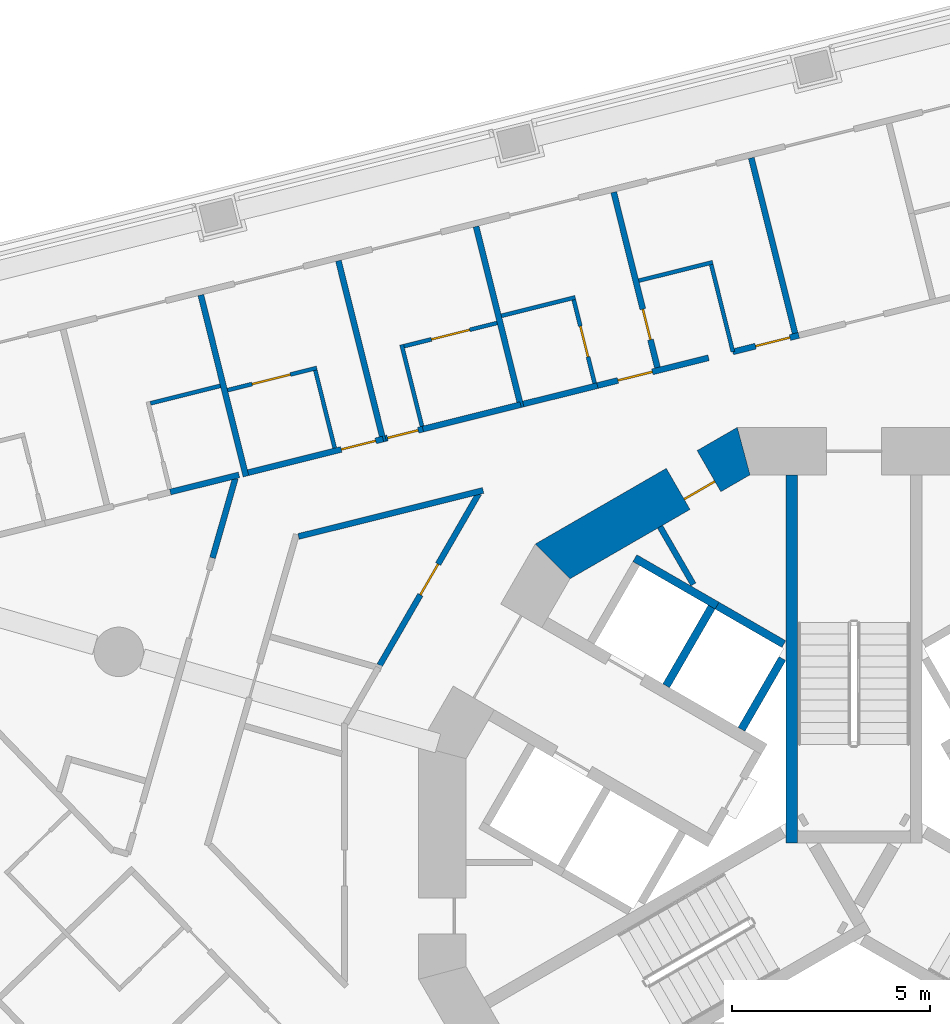
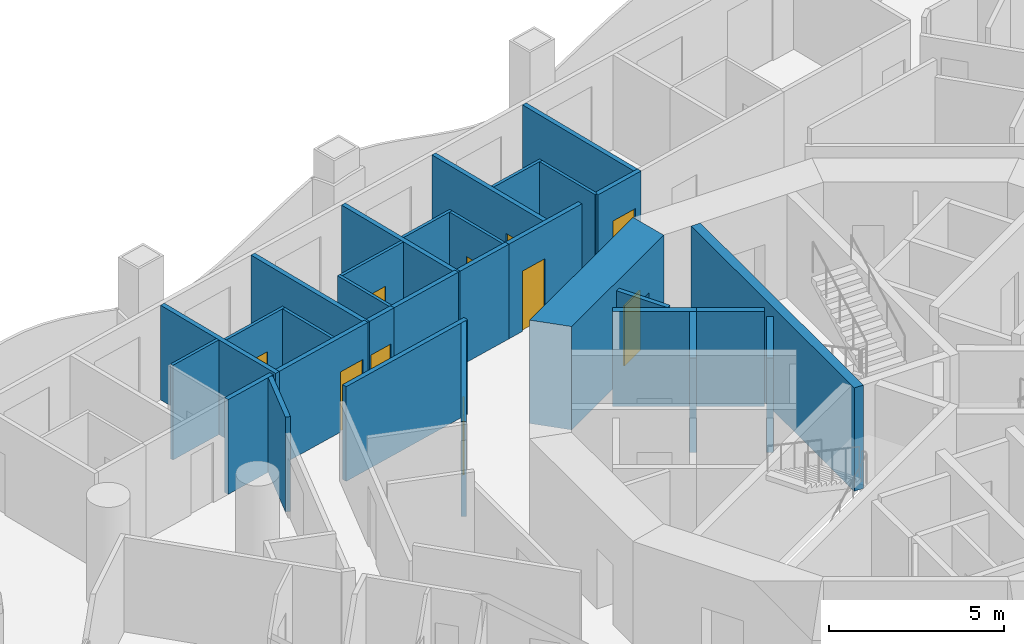
# One storey, part 8 of 20: 31 walls, 10 doors, 10 openings.
"""IFC4 building model written with IfcOpenShell, lengths in metres."""

import ifcopenshell
import ifcopenshell.guid

model = None  # the IFC model being written
_history = None  # IfcOwnerHistory: only IFC2X3 demands one
_inside = {}  # id of a spatial element -> (the spatial element, [elements in it])
_under = {}  # id of a project, library or spatial element -> (it, [spatial elements below it])
_declared = {}  # id of a project -> (the project, [libraries it declares])
_typed = {}  # id of a type object -> (the type object, [elements of that type])
_made_of = {}  # id of a material, layer set ... -> (it, [elements and type objects made of it])


def new_model(schema):
    """Start an empty IFC model of exactly this schema.

    Asked for "IFC4X3", IfcOpenShell would pick the latest addendum, in which some entities
    have other attributes; the version numbers below select the first issue.
    IFC2X3 requires an IfcOwnerHistory on every rooted entity: one is made here for all.
    """
    global model, _history
    if schema == "IFC4X3":
        model = ifcopenshell.file(schema_version=(4, 3, 0, 0))
    else:
        model = ifcopenshell.file(schema=schema)
    _inside.clear()
    _under.clear()
    _declared.clear()
    _typed.clear()
    _made_of.clear()
    _history = None
    if model.schema == "IFC2X3":
        org = make("IfcOrganization", Name="unknown")
        user = make(
            "IfcPersonAndOrganization",
            ThePerson=make("IfcPerson", FamilyName="unknown"),
            TheOrganization=org,
        )
        app = make(
            "IfcApplication",
            ApplicationDeveloper=org,
            Version="unknown",
            ApplicationFullName="unknown",
            ApplicationIdentifier="unknown",
        )
        _history = make(
            "IfcOwnerHistory",
            OwningUser=user,
            OwningApplication=app,
            ChangeAction="ADDED",
            CreationDate=0,
        )
    return model


def make(cls, **values):
    """One entity of the class cls with the attributes given. An attribute that is None is left unset."""
    return model.create_entity(
        cls, **{name: value for name, value in values.items() if value is not None}
    )


def rooted(cls, **values):
    """An entity with a GlobalId (a new one), such as an element, a storey or a relation."""
    return make(cls, GlobalId=ifcopenshell.guid.new(), OwnerHistory=_history, **values)


def si_unit(unit_type, name, prefix=None):
    """IfcSIUnit, for example si_unit("LENGTHUNIT", "METRE", prefix="MILLI")."""
    return make("IfcSIUnit", UnitType=unit_type, Prefix=prefix, Name=name)


def assignment(units):
    """IfcUnitAssignment: the units of a project."""
    return None if units is None else make("IfcUnitAssignment", Units=units)


def point(xyz):
    """IfcCartesianPoint."""
    return None if xyz is None else make("IfcCartesianPoint", Coordinates=xyz)


def direction(xyz):
    """IfcDirection."""
    return None if xyz is None else make("IfcDirection", DirectionRatios=xyz)


def frame(location, z_axis=None, x_axis=None):
    """IfcAxis2Placement3D, a coordinate frame: its origin and axes. An axis left out is left unset."""
    return make(
        "IfcAxis2Placement3D",
        Location=point(location),
        Axis=direction(z_axis),
        RefDirection=direction(x_axis),
    )


def frame_2d(location, x_axis=None):
    """IfcAxis2Placement2D, a coordinate frame in the plane: its origin and x axis."""
    return make(
        "IfcAxis2Placement2D", Location=point(location), RefDirection=direction(x_axis)
    )


def origin():
    """The frame at (0, 0, 0) with its axes left unset."""
    return frame((0.0, 0.0, 0.0))


def place(relative_to, where):
    """IfcLocalPlacement: puts the frame where relative to a parent placement (None: the world)."""
    return make(
        "IfcLocalPlacement", PlacementRelTo=relative_to, RelativePlacement=where
    )


def context(
    kind, dimensions, precision=None, world=None, true_north=None, identifier=None
):
    """IfcGeometricRepresentationContext, for example the 3D "Model" context."""
    return make(
        "IfcGeometricRepresentationContext",
        ContextIdentifier=identifier,
        ContextType=kind,
        CoordinateSpaceDimension=dimensions,
        Precision=precision,
        WorldCoordinateSystem=world,
        TrueNorth=true_north,
    )


def subcontext(parent, identifier, kind, view, scale=None):
    """IfcGeometricRepresentationSubContext, for example "Body" below "Model"."""
    return make(
        "IfcGeometricRepresentationSubContext",
        ContextIdentifier=identifier,
        ContextType=kind,
        ParentContext=parent,
        TargetScale=scale,
        TargetView=view,
    )


def project(units=None, contexts=None):
    """IfcProject with its units and contexts."""
    return rooted(
        "IfcProject",
        Name="project",
        RepresentationContexts=contexts,
        UnitsInContext=assignment(units),
    )


def spatial(cls, under=None, at=None, **own):
    """A site, building, storey or space (cls), placed at a placement, below another one or the project."""
    s = rooted(cls, ObjectPlacement=at, **own)
    if under is not None:
        _under.setdefault(under.id(), (under, []))[1].append(s)
    return s


def polyline(points):
    """IfcPolyline through the points."""
    return make("IfcPolyline", Points=[point(p) for p in points])


def profile(cls, at=None, kind="AREA", **sizes):
    """A parametric profile (cls). Its sizes go by their IFC names, for example OverallWidth=200.0."""
    return make(cls, ProfileType=kind, Position=at, **sizes)


def rectangle(**sizes):
    """IfcRectangleProfileDef."""
    return profile("IfcRectangleProfileDef", **sizes)


def outline(outer, holes=None, kind="AREA"):
    """IfcArbitraryClosedProfileDef: a profile drawn as a closed curve; with holes, ...WithVoids."""
    if holes is None:
        return make("IfcArbitraryClosedProfileDef", ProfileType=kind, OuterCurve=outer)
    return make(
        "IfcArbitraryProfileDefWithVoids",
        ProfileType=kind,
        OuterCurve=outer,
        InnerCurves=holes,
    )


def extrude(swept, where, along, depth):
    """IfcExtrudedAreaSolid: the profile swept, set in the frame where, extruded along a direction by depth."""
    return make(
        "IfcExtrudedAreaSolid",
        SweptArea=swept,
        Position=where,
        ExtrudedDirection=direction(along),
        Depth=depth,
    )


def shape(context_of_items, identifier, shape_type, items):
    """IfcShapeRepresentation: the items that make up one representation, for example the "Body"."""
    return make(
        "IfcShapeRepresentation",
        ContextOfItems=context_of_items,
        RepresentationIdentifier=identifier,
        RepresentationType=shape_type,
        Items=items,
    )


def material(Name=None, Category=None):
    """IfcMaterial."""
    return make("IfcMaterial", Name=Name, Category=Category)


def layer(
    of_material, thickness, ventilated=None, Name=None, Category=None, Priority=None
):
    """IfcMaterialLayer: one layer of a wall or slab, of a material (None: an air gap)."""
    return make(
        "IfcMaterialLayer",
        Material=of_material,
        LayerThickness=thickness,
        IsVentilated=ventilated,
        Name=Name,
        Category=Category,
        Priority=Priority,
    )


def layer_set(layers, Name=None):
    """IfcMaterialLayerSet."""
    return make("IfcMaterialLayerSet", MaterialLayers=layers, LayerSetName=Name)


def made_of(thing, what):
    """Note that an element or type object is made of a material, layer set ...; save() writes the relation."""
    if what is not None:
        _made_of.setdefault(what.id(), (what, []))[1].append(thing)
    return thing


def type_object(cls, material=None, **own):
    """A type object (cls), such as IfcWallType, which elements share."""
    return made_of(rooted(cls, **own), material)


def element(
    cls,
    number,
    at=None,
    inside=None,
    cuts=None,
    type_object=None,
    material=None,
    context=None,
    identifier="Body",
    shape_type=None,
    held_by="IfcProductDefinitionShape",
    body=None,
    shapes=None,
    **own,
):
    """One element of the class cls, such as IfcWall. Its Tag is "e" and its number.

    at: its placement. inside: the storey or other place that contains it. cuts: it is an
    opening in that element (IfcRelVoidsElement). A single representation is given by context,
    identifier, shape_type and body (its items); several are given by shapes. held_by: the class
    of the entity that holds the representations. save() writes the other relations.
    """
    e = rooted(cls, Tag="e%d" % number, ObjectPlacement=at, **own)
    if body is not None:
        shapes = [shape(context, identifier, shape_type, body)]
    if shapes is not None:
        e.Representation = make(held_by, Representations=shapes)
    if inside is not None:
        _inside.setdefault(inside.id(), (inside, []))[1].append(e)
    if cuts is not None:
        rooted(
            "IfcRelVoidsElement", RelatingBuildingElement=cuts, RelatedOpeningElement=e
        )
    if type_object is not None:
        _typed.setdefault(type_object.id(), (type_object, []))[1].append(e)
    return made_of(e, material)


def fill(opening, filler):
    """IfcRelFillsElement: the door or window that sits in an opening."""
    return rooted(
        "IfcRelFillsElement",
        RelatingOpeningElement=opening,
        RelatedBuildingElement=filler,
    )


def aggregate(whole, parts):
    """IfcRelAggregates: a whole, such as a stair, and the parts it consists of."""
    return rooted("IfcRelAggregates", RelatingObject=whole, RelatedObjects=parts)


def save(model, path):
    """Write the relations noted so far, then the file.

    IfcRelAggregates (storeys below a building ...), IfcRelContainedInSpatialStructure (elements
    in a storey), IfcRelDefinesByType, IfcRelAssociatesMaterial and IfcRelDeclares: one each for
    every whole, place, type object, material and project.
    """
    for whole, parts in _under.values():
        aggregate(whole, parts)
    for where, things in _inside.values():
        rooted(
            "IfcRelContainedInSpatialStructure",
            RelatedElements=things,
            RelatingStructure=where,
        )
    for kind, things in _typed.values():
        rooted("IfcRelDefinesByType", RelatedObjects=things, RelatingType=kind)
    for what, things in _made_of.values():
        rooted("IfcRelAssociatesMaterial", RelatedObjects=things, RelatingMaterial=what)
    for by, libraries in _declared.values():
        rooted("IfcRelDeclares", RelatingContext=by, RelatedDefinitions=libraries)
    model.write(path)


model = new_model("IFC4")

# Units and contexts
model_context = context("Model", 3, precision=1e-05, world=origin(), true_north=direction((0.0, 1.0)))
body_context = subcontext(model_context, "Body", "Model", "MODEL_VIEW")
ifc_project = project(units=[si_unit("LENGTHUNIT", "METRE"), si_unit("AREAUNIT", "SQUARE_METRE"), si_unit("VOLUMEUNIT", "CUBIC_METRE"), si_unit("PLANEANGLEUNIT", "RADIAN"), si_unit("MASSUNIT", "GRAM", prefix="KILO")], contexts=[model_context])

# Site, building, storey
site_placement = place(None, origin())
site = spatial("IfcSite", under=ifc_project, at=site_placement, CompositionType="ELEMENT")
building_placement = place(site_placement, origin())
building = spatial("IfcBuilding", under=site, at=building_placement, Name="Trine Commons Tower", CompositionType="ELEMENT")
storey_placement = place(building_placement, frame((0.0, 0.0, 108.89990234375)))
storey = spatial("IfcBuildingStorey", under=building, at=storey_placement, Name="L27", CompositionType="ELEMENT", Elevation=108.89990234375)

# Wall
ifc_material_1 = material(Name="Plasterboard partition on steel studs", Category="steel")
ifc_layer_1 = layer(ifc_material_1, 0.14990234375)
ifc_layer_set_1 = layer_set([ifc_layer_1], Name="Plasterboard partition on steel studs")
wall_type_1 = type_object("IfcWallType", Name="Core room partition 150 mm, EI 60", PredefinedType="PARTITIONING", material=ifc_layer_set_1)
wall_1_placement = place(storey_placement, frame((75.094970703125, 70.9970703125, 0.0), z_axis=(0.0, 0.0, 1.0), x_axis=(0.500115728942, -0.865958577338, 0.0)))
element("IfcWall", 1, at=wall_1_placement, inside=storey, type_object=wall_type_1, Name="Core room partition L27", PredefinedType="PARTITIONING", context=body_context, shape_type="SweptSolid", body=[
    extrude(rectangle(XDim=1.68359375, YDim=0.14990234375, at=frame_2d((0.841796875, 0.0))), origin(), (0.0, 0.0, 1.0), 3.300048828125),
])

# Wall, opening, door
ifc_material_2 = material(Name="Concrete C70/85", Category="concrete")
ifc_layer_2 = layer(ifc_material_2, 1.199951171875)
ifc_layer_set_2 = layer_set([ifc_layer_2], Name="Concrete C70/85")
wall_type_2 = type_object("IfcWallType", Name="RC shear wall 1200 mm, C70/85", PredefinedType="SHEAR", material=ifc_layer_set_2)
wall_2_placement = place(storey_placement, frame((77.349609375, 72.991943359375, 0.0), z_axis=(0.0, 0.0, 1.0), x_axis=(-0.866037463336, -0.499979111662, 0.0)))
wall_2 = element("IfcWall", 2, at=wall_2_placement, inside=storey, type_object=wall_type_2, Name="Core wall CWC-05 L27", PredefinedType="SHEAR", context=body_context, shape_type="SweptSolid", body=[
    extrude(outline(polyline([(0.0, -0.60009765625), (5.901123046875, -0.60009765625), (5.57958984375, 0.60009765625), (0.321533203125, 0.60009765625), (0.0, -0.60009765625)])), origin(), (0.0, 0.0, 1.0), 3.60009765625),
])
opening_1_placement = place(wall_2_placement, frame((1.1748046875, 0.0, 0.0)))
opening_1 = element("IfcOpeningElement", 3, at=opening_1_placement, cuts=wall_2, Name="Opening K06.13", PredefinedType="OPENING", context=body_context, shape_type="SweptSolid", body=[
    extrude(rectangle(XDim=0.89990234375, YDim=2.10009765625, at=frame_2d((0.449951171875, 1.050048828125))), frame((0.0, 0.60986328125, 0.0), z_axis=(0.0, -1.0, 0.0), x_axis=(1.0, 0.0, 0.0)), (0.0, 0.0, 1.0), 1.219970703125),
])
ifc_material_3 = material(Name="Steel door leaf, fire-rated", Category="steel")
door_type_1 = type_object("IfcDoorType", Name="Core room door, single leaf 900 x 2100, FD30S", OperationType="SINGLE_SWING_LEFT", PredefinedType="DOOR", material=ifc_material_3)
door_1_placement = place(opening_1_placement, origin())
door_1 = element("IfcDoor", 4, at=door_1_placement, inside=storey, type_object=door_type_1, Name="Door to Linen store L27", OperationType="SINGLE_SWING_LEFT", OverallHeight=2.10009765625, OverallWidth=0.89990234375, PredefinedType="DOOR", context=body_context, shape_type="SweptSolid", body=[
    extrude(rectangle(XDim=0.89990234375, YDim=2.10009765625, at=frame_2d((0.449951171875, 1.050048828125))), frame((0.0, 0.3251953125, 0.0), z_axis=(0.0, -1.0, 0.0), x_axis=(1.0, 0.0, 0.0)), (0.0, 0.0, 1.0), 0.050048828125),
])
fill(opening_1, door_1)

# Walls
ifc_layer_3 = layer(ifc_material_2, 0.300048828125)
ifc_layer_set_3 = layer_set([ifc_layer_3], Name="Concrete C70/85")
wall_type_3 = type_object("IfcWallType", Name="RC shear wall 300 mm, C70/85", PredefinedType="SHEAR", material=ifc_layer_set_3)
wall_3_placement = place(storey_placement, frame((78.425048828125, 63.0009765625, 0.0), z_axis=(0.0, 0.0, 1.0), x_axis=(0.0, 1.0, 0.0)))
element("IfcWall", 5, at=wall_3_placement, inside=storey, type_object=wall_type_3, Name="Core cross wall SWA-08 L27", PredefinedType="SHEAR", context=body_context, shape_type="SweptSolid", body=[
    extrude(rectangle(XDim=9.31103515625, YDim=0.300048828125, at=frame_2d((4.655517578125, 0.0))), origin(), (0.0, 0.0, 1.0), 3.60009765625),
])
ifc_material_4 = material(Name="Fire-rated gypsum shaft wall system")
ifc_layer_4 = layer(ifc_material_4, 0.199951171875)
ifc_layer_set_4 = layer_set([ifc_layer_4], Name="Fire-rated gypsum shaft wall system")
wall_type_4 = type_object("IfcWallType", Name="Shaft wall 200 mm, EI 120", PredefinedType="PARTITIONING", material=ifc_layer_set_4)
wall_4_placement = place(storey_placement, frame((75.2509765625, 66.97412109375, 0.0), z_axis=(0.0, 0.0, 1.0), x_axis=(0.500136062276, 0.86594683394, 0.0)))
element("IfcWall", 6, at=wall_4_placement, inside=storey, type_object=wall_type_4, Name="Shaft wall L27", PredefinedType="PARTITIONING", context=body_context, shape_type="SweptSolid", body=[
    extrude(rectangle(XDim=2.299072265625, YDim=0.199951171875, at=frame_2d((1.1494140625, 0.0))), origin(), (0.0, 0.0, 1.0), 3.300048828125),
])
wall_5_placement = place(storey_placement, frame((76.5380859375, 69.001953125, 0.0), z_axis=(0.0, 0.0, 1.0), x_axis=(-0.866202511239, 0.499693115345, 0.0)))
element("IfcWall", 7, at=wall_5_placement, inside=storey, type_object=wall_type_4, Name="Shaft wall L27", PredefinedType="PARTITIONING", context=body_context, shape_type="SweptSolid", body=[
    extrude(rectangle(XDim=2.4013671875, YDim=0.199951171875, at=frame_2d((1.20068359375, 0.0))), origin(), (0.0, 0.0, 1.0), 3.300048828125),
])
wall_6_placement = place(storey_placement, frame((77.156005859375, 65.8740234375, 0.0), z_axis=(0.0, 0.0, 1.0), x_axis=(0.499865770674, 0.866102887253, 0.0)))
element("IfcWall", 8, at=wall_6_placement, inside=storey, type_object=wall_type_4, Name="Shaft wall L27", PredefinedType="PARTITIONING", context=body_context, shape_type="SweptSolid", body=[
    extrude(rectangle(XDim=2.064453125, YDim=0.199951171875, at=frame_2d((1.0322265625, 0.0))), origin(), (0.0, 0.0, 1.0), 3.300048828125),
])
wall_7_placement = place(storey_placement, frame((78.22509765625, 68.028076171875, 0.0), z_axis=(0.0, 0.0, 1.0), x_axis=(-0.866052014814, 0.499953905513, 0.0)))
element("IfcWall", 9, at=wall_7_placement, inside=storey, type_object=wall_type_4, Name="Shaft wall L27", PredefinedType="PARTITIONING", context=body_context, shape_type="SweptSolid", body=[
    extrude(rectangle(XDim=1.947998046875, YDim=0.199951171875, at=frame_2d((0.97412109375, 0.0))), origin(), (0.0, 0.0, 1.0), 3.300048828125),
])
ifc_material_5 = material(Name="Gypsum plasterboard on steel stud", Category="steel")
ifc_layer_5 = layer(ifc_material_5, 0.14990234375)
ifc_layer_set_5 = layer_set([ifc_layer_5], Name="Gypsum plasterboard on steel stud")
wall_type_5 = type_object("IfcWallType", Name="Unit and corridor wall 150 mm, EI 60", PredefinedType="PARTITIONING", material=ifc_layer_set_5)
wall_8_placement = place(storey_placement, frame((62.705078125, 71.8759765625, 0.0), z_axis=(0.0, 0.0, 1.0), x_axis=(0.970318656337, 0.241829909573, 0.0)))
element("IfcWall", 10, at=wall_8_placement, inside=storey, type_object=wall_type_5, Name="Partition 021", PredefinedType="PARTITIONING", context=body_context, shape_type="SweptSolid", body=[
    extrude(rectangle(XDim=1.791015625, YDim=0.14990234375, at=frame_2d((0.8955078125, 0.0))), origin(), (0.0, 0.0, 1.0), 3.300048828125),
])
wall_9_placement = place(storey_placement, frame((63.476806640625, 76.858154296875, 0.0), z_axis=(0.0, 0.0, 1.0), x_axis=(0.242049130854, -0.970263994103, 0.0)))
element("IfcWall", 11, at=wall_9_placement, inside=storey, type_object=wall_type_5, Name="Partition 022", PredefinedType="PARTITIONING", context=body_context, shape_type="SweptSolid", body=[
    extrude(rectangle(XDim=4.723388671875, YDim=0.14990234375, at=frame_2d((2.36181640625, 0.0))), origin(), (0.0, 0.0, 1.0), 3.300048828125),
])
wall_10_placement = place(storey_placement, frame((63.77392578125, 70.2099609375, 0.0), z_axis=(0.0, 0.0, 1.0), x_axis=(0.275353680299, 0.961342993289, 0.0)))
element("IfcWall", 12, at=wall_10_placement, inside=storey, type_object=wall_type_5, Name="Partition 025", PredefinedType="PARTITIONING", context=body_context, shape_type="SweptSolid", body=[
    extrude(rectangle(XDim=2.08984375, YDim=0.14990234375, at=frame_2d((1.044921875, 0.0))), origin(), (0.0, 0.0, 1.0), 3.300048828125),
])

# Wall, opening, door
wall_11_placement = place(storey_placement, frame((64.6708984375, 72.3662109375, 0.0), z_axis=(0.0, 0.0, 1.0), x_axis=(0.97035426046, 0.241687006697, 0.0)))
wall_11 = element("IfcWall", 13, at=wall_11_placement, inside=storey, type_object=wall_type_5, Name="Partition 028", PredefinedType="PARTITIONING", context=body_context, shape_type="SweptSolid", body=[
    extrude(rectangle(XDim=3.520263671875, YDim=0.14990234375, at=frame_2d((1.76025390625, 0.0))), origin(), (0.0, 0.0, 1.0), 3.300048828125),
])
opening_2_placement = place(wall_11_placement, frame((2.429931640625, 0.0, 0.0)))
opening_2 = element("IfcOpeningElement", 14, at=opening_2_placement, cuts=wall_11, Name="Opening D-3C09", PredefinedType="OPENING", context=body_context, shape_type="SweptSolid", body=[
    extrude(rectangle(XDim=0.89990234375, YDim=2.10009765625, at=frame_2d((0.449951171875, 1.050048828125))), frame((0.0, 0.0849609375, 0.0), z_axis=(0.0, -1.0, 0.0), x_axis=(1.0, 0.0, 0.0)), (0.0, 0.0, 1.0), 0.169921875),
])
ifc_material_6 = material(Name="Timber fire door set", Category="wood")
door_type_2 = type_object("IfcDoorType", Name="Bedroom door 900 x 2100, FD30S", OperationType="NOTDEFINED", PredefinedType="DOOR", material=ifc_material_6)
door_2_placement = place(opening_2_placement, origin())
door_2 = element("IfcDoor", 15, at=door_2_placement, inside=storey, type_object=door_type_2, Name="Door D-3C09", OperationType="SINGLE_SWING_RIGHT", OverallHeight=2.10009765625, OverallWidth=0.89990234375, PredefinedType="DOOR", context=body_context, shape_type="SweptSolid", body=[
    extrude(rectangle(XDim=0.89990234375, YDim=2.10009765625, at=frame_2d((0.449951171875, 1.050048828125))), frame((0.0, 0.02490234375, 0.0), z_axis=(0.0, -1.0, 0.0), x_axis=(1.0, 0.0, 0.0)), (0.0, 0.0, 1.0), 0.050048828125),
])
fill(opening_2, door_2)

# Walls
wall_12_placement = place(storey_placement, frame((65.94677734375, 70.751220703125, 0.0), z_axis=(0.0, 0.0, 1.0), x_axis=(0.970300367674, 0.241903279206, 0.0)))
element("IfcWall", 16, at=wall_12_placement, inside=storey, type_object=wall_type_5, Name="Partition 031", PredefinedType="PARTITIONING", context=body_context, shape_type="SweptSolid", body=[
    extrude(rectangle(XDim=4.815185546875, YDim=0.14990234375, at=frame_2d((2.40771484375, 0.0))), origin(), (0.0, 0.0, 1.0), 3.300048828125),
])
wall_13_placement = place(storey_placement, frame((66.958740234375, 77.726318359375, 0.0), z_axis=(0.0, 0.0, 1.0), x_axis=(0.24185448203, -0.970312531879, 0.0)))
element("IfcWall", 17, at=wall_13_placement, inside=storey, type_object=wall_type_5, Name="Partition 036", PredefinedType="PARTITIONING", context=body_context, shape_type="SweptSolid", body=[
    extrude(rectangle(XDim=4.72314453125, YDim=0.14990234375, at=frame_2d((2.361572265625, 0.0))), origin(), (0.0, 0.0, 1.0), 3.300048828125),
])

# Wall, opening, door
wall_14_placement = place(storey_placement, frame((68.00244140625, 67.493896484375, 0.0), z_axis=(0.0, 0.0, 1.0), x_axis=(0.499945814907, 0.866056685303, 0.0)))
wall_14 = element("IfcWall", 18, at=wall_14_placement, inside=storey, type_object=wall_type_5, Name="Partition 040", PredefinedType="PARTITIONING", context=body_context, shape_type="SweptSolid", body=[
    extrude(rectangle(XDim=5.0146484375, YDim=0.14990234375, at=frame_2d((2.50732421875, 0.0))), origin(), (0.0, 0.0, 1.0), 3.300048828125),
])
opening_3_placement = place(wall_14_placement, frame((2.057373046875, 0.0, 0.0)))
opening_3 = element("IfcOpeningElement", 19, at=opening_3_placement, cuts=wall_14, Name="Opening D-3C39", PredefinedType="OPENING", context=body_context, shape_type="SweptSolid", body=[
    extrude(rectangle(XDim=0.89990234375, YDim=2.10009765625, at=frame_2d((0.449951171875, 1.050048828125))), frame((0.0, 0.0849609375, 0.0), z_axis=(0.0, -1.0, 0.0), x_axis=(1.0, 0.0, 0.0)), (0.0, 0.0, 1.0), 0.169921875),
])
door_type_3 = type_object("IfcDoorType", Name="Service door 900 x 2100, FD30S", OperationType="NOTDEFINED", PredefinedType="DOOR", material=ifc_material_6)
door_3_placement = place(opening_3_placement, origin())
door_3 = element("IfcDoor", 20, at=door_3_placement, inside=storey, type_object=door_type_3, Name="Door D-3C39", OperationType="SINGLE_SWING_LEFT", OverallHeight=2.10009765625, OverallWidth=0.89990234375, PredefinedType="DOOR", context=body_context, shape_type="SweptSolid", body=[
    extrude(rectangle(XDim=0.89990234375, YDim=2.10009765625, at=frame_2d((0.449951171875, 1.050048828125))), frame((0.0, 0.02490234375, 0.0), z_axis=(0.0, -1.0, 0.0), x_axis=(1.0, 0.0, 0.0)), (0.0, 0.0, 1.0), 0.050048828125),
])
fill(opening_3, door_3)

wall_15_placement = place(storey_placement, frame((68.15185546875, 73.233154296875, 0.0), z_axis=(0.0, 0.0, 1.0), x_axis=(0.970127725802, 0.242594714762, 0.0)))
wall_15 = element("IfcWall", 21, at=wall_15_placement, inside=storey, type_object=wall_type_5, Name="Partition 041", PredefinedType="PARTITIONING", context=body_context, shape_type="SweptSolid", body=[
    extrude(rectangle(XDim=0.97216796875, YDim=0.14990234375, at=frame_2d((0.486083984375, 0.0))), origin(), (0.0, 0.0, 1.0), 3.300048828125),
])
opening_4_placement = place(wall_15_placement, frame((0.050048828125, 0.0, 0.0)))
opening_4 = element("IfcOpeningElement", 22, at=opening_4_placement, cuts=wall_15, Name="Opening D-3C10", PredefinedType="OPENING", context=body_context, shape_type="SweptSolid", body=[
    extrude(rectangle(XDim=0.800048828125, YDim=2.10009765625, at=frame_2d((0.39990234375, 1.050048828125))), frame((0.0, 0.0849609375, 0.0), z_axis=(0.0, -1.0, 0.0), x_axis=(1.0, 0.0, 0.0)), (0.0, 0.0, 1.0), 0.169921875),
])
door_type_4 = type_object("IfcDoorType", Name="Bedroom door 800 x 2100, FD30S", OperationType="NOTDEFINED", PredefinedType="DOOR", material=ifc_material_6)
door_4_placement = place(opening_4_placement, origin())
door_4 = element("IfcDoor", 23, at=door_4_placement, inside=storey, type_object=door_type_4, Name="Door D-3C10", OperationType="SINGLE_SWING_LEFT", OverallHeight=2.10009765625, OverallWidth=0.800048828125, PredefinedType="DOOR", context=body_context, shape_type="SweptSolid", body=[
    extrude(rectangle(XDim=0.800048828125, YDim=2.10009765625, at=frame_2d((0.39990234375, 1.050048828125))), frame((0.0, 0.02490234375, 0.0), z_axis=(0.0, -1.0, 0.0), x_axis=(1.0, 0.0, 0.0)), (0.0, 0.0, 1.0), 0.050048828125),
])
fill(opening_4, door_4)

# Walls
wall_16_placement = place(storey_placement, frame((69.0869140625, 73.467041015625, 0.0), z_axis=(0.0, 0.0, 1.0), x_axis=(0.970293884901, 0.241929280832, 0.0)))
element("IfcWall", 24, at=wall_16_placement, inside=storey, type_object=wall_type_5, Name="Partition 045", PredefinedType="PARTITIONING", context=body_context, shape_type="SweptSolid", body=[
    extrude(rectangle(XDim=2.55810546875, YDim=0.14990234375, at=frame_2d((1.279052734375, 0.0))), origin(), (0.0, 0.0, 1.0), 3.300048828125),
])
wall_17_placement = place(storey_placement, frame((70.440673828125, 78.59423828125, 0.0), z_axis=(0.0, 0.0, 1.0), x_axis=(0.241903012142, -0.970300434256, 0.0)))
element("IfcWall", 25, at=wall_17_placement, inside=storey, type_object=wall_type_5, Name="Partition 047", PredefinedType="PARTITIONING", context=body_context, shape_type="SweptSolid", body=[
    extrude(rectangle(XDim=4.72216796875, YDim=0.14990234375, at=frame_2d((2.361083984375, 0.0))), origin(), (0.0, 0.0, 1.0), 3.300048828125),
])
wall_18_placement = place(storey_placement, frame((71.6337890625, 74.10205078125, 0.0), z_axis=(0.0, 0.0, 1.0), x_axis=(0.970372376743, 0.241614259626, 0.0)))
element("IfcWall", 26, at=wall_18_placement, inside=storey, type_object=wall_type_5, Name="Partition 051", PredefinedType="PARTITIONING", context=body_context, shape_type="SweptSolid", body=[
    extrude(rectangle(XDim=1.93310546875, YDim=0.14990234375, at=frame_2d((0.966552734375, 0.0))), origin(), (0.0, 0.0, 1.0), 3.300048828125),
])

# Wall, opening, door
wall_19_placement = place(storey_placement, frame((73.452880859375, 74.555908203125, 0.0), z_axis=(0.0, 0.0, 1.0), x_axis=(0.97031709396, 0.24183617837, 0.0)))
wall_19 = element("IfcWall", 27, at=wall_19_placement, inside=storey, type_object=wall_type_5, Name="Partition 053", PredefinedType="PARTITIONING", context=body_context, shape_type="SweptSolid", body=[
    extrude(rectangle(XDim=2.95703125, YDim=0.14990234375, at=frame_2d((1.478515625, 0.0))), origin(), (0.0, 0.0, 1.0), 3.300048828125),
])
opening_5_placement = place(wall_19_placement, frame((0.591796875, 0.0, 0.0)))
opening_5 = element("IfcOpeningElement", 28, at=opening_5_placement, cuts=wall_19, Name="Opening D-3C11", PredefinedType="OPENING", context=body_context, shape_type="SweptSolid", body=[
    extrude(rectangle(XDim=0.89990234375, YDim=2.10009765625, at=frame_2d((0.449951171875, 1.050048828125))), frame((0.0, 0.0849609375, 0.0), z_axis=(0.0, -1.0, 0.0), x_axis=(1.0, 0.0, 0.0)), (0.0, 0.0, 1.0), 0.169921875),
])
door_5_placement = place(opening_5_placement, origin())
door_5 = element("IfcDoor", 29, at=door_5_placement, inside=storey, type_object=door_type_2, Name="Door D-3C11", OperationType="SINGLE_SWING_LEFT", OverallHeight=2.10009765625, OverallWidth=0.89990234375, PredefinedType="DOOR", context=body_context, shape_type="SweptSolid", body=[
    extrude(rectangle(XDim=0.89990234375, YDim=2.10009765625, at=frame_2d((0.449951171875, 1.050048828125))), frame((0.0, 0.02490234375, 0.0), z_axis=(0.0, -1.0, 0.0), x_axis=(1.0, 0.0, 0.0)), (0.0, 0.0, 1.0), 0.050048828125),
])
fill(opening_5, door_5)

wall_20_placement = place(storey_placement, frame((73.921630859375, 79.462158203125, 0.0), z_axis=(0.0, 0.0, 1.0), x_axis=(0.241945064156, -0.970289949412, 0.0)))
wall_20 = element("IfcWall", 30, at=wall_20_placement, inside=storey, type_object=wall_type_5, Name="Partition 054", PredefinedType="PARTITIONING", context=body_context, shape_type="SweptSolid", body=[
    extrude(rectangle(XDim=4.572021484375, YDim=0.14990234375, at=frame_2d((2.2861328125, 0.0))), origin(), (0.0, 0.0, 1.0), 3.300048828125),
])
opening_6_placement = place(wall_20_placement, frame((3.04931640625, 0.0, 0.0)))
opening_6 = element("IfcOpeningElement", 31, at=opening_6_placement, cuts=wall_20, Name="Opening D-3C48", PredefinedType="OPENING", context=body_context, shape_type="SweptSolid", body=[
    extrude(rectangle(XDim=0.800048828125, YDim=2.10009765625, at=frame_2d((0.39990234375, 1.050048828125))), frame((0.0, 0.0849609375, 0.0), z_axis=(0.0, -1.0, 0.0), x_axis=(1.0, 0.0, 0.0)), (0.0, 0.0, 1.0), 0.169921875),
])
ifc_material_7 = material(Name="Painted timber", Category="wood")
door_type_5 = type_object("IfcDoorType", Name="Internal door 800 x 2100, NOT RATED", OperationType="NOTDEFINED", PredefinedType="DOOR", material=ifc_material_7)
door_6_placement = place(opening_6_placement, frame((0.800048828125, 0.0, 0.0), z_axis=(0.0, 0.0, 1.0), x_axis=(-1.0, 0.0, 0.0)))
door_6 = element("IfcDoor", 32, at=door_6_placement, inside=storey, type_object=door_type_5, Name="Door D-3C48", OperationType="SINGLE_SWING_LEFT", OverallHeight=2.10009765625, OverallWidth=0.800048828125, PredefinedType="DOOR", context=body_context, shape_type="SweptSolid", body=[
    extrude(rectangle(XDim=0.800048828125, YDim=2.10009765625, at=frame_2d((0.39990234375, 1.050048828125))), frame((0.0, 0.02490234375, 0.0), z_axis=(0.0, -1.0, 0.0), x_axis=(1.0, 0.0, 0.0)), (0.0, 0.0, 1.0), 0.050048828125),
])
fill(opening_6, door_6)

wall_21_placement = place(storey_placement, frame((76.93408203125, 75.423095703125, 0.0), z_axis=(0.0, 0.0, 1.0), x_axis=(0.970234173919, 0.242168634963, 0.0)))
wall_21 = element("IfcWall", 33, at=wall_21_placement, inside=storey, type_object=wall_type_5, Name="Partition 062", PredefinedType="PARTITIONING", context=body_context, shape_type="SweptSolid", body=[
    extrude(rectangle(XDim=1.721923828125, YDim=0.14990234375, at=frame_2d((0.86083984375, 0.0))), origin(), (0.0, 0.0, 1.0), 3.300048828125),
])
opening_7_placement = place(wall_21_placement, frame((0.593017578125, 0.0, 0.0)))
opening_7 = element("IfcOpeningElement", 34, at=opening_7_placement, cuts=wall_21, Name="Opening D-3C12", PredefinedType="OPENING", context=body_context, shape_type="SweptSolid", body=[
    extrude(rectangle(XDim=0.89990234375, YDim=2.10009765625, at=frame_2d((0.449951171875, 1.050048828125))), frame((0.0, 0.0849609375, 0.0), z_axis=(0.0, -1.0, 0.0), x_axis=(1.0, 0.0, 0.0)), (0.0, 0.0, 1.0), 0.169921875),
])
door_7_placement = place(opening_7_placement, origin())
door_7 = element("IfcDoor", 35, at=door_7_placement, inside=storey, type_object=door_type_2, Name="Door D-3C12", OperationType="SINGLE_SWING_RIGHT", OverallHeight=2.10009765625, OverallWidth=0.89990234375, PredefinedType="DOOR", context=body_context, shape_type="SweptSolid", body=[
    extrude(rectangle(XDim=0.89990234375, YDim=2.10009765625, at=frame_2d((0.449951171875, 1.050048828125))), frame((0.0, 0.02490234375, 0.0), z_axis=(0.0, -1.0, 0.0), x_axis=(1.0, 0.0, 0.0)), (0.0, 0.0, 1.0), 0.050048828125),
])
fill(opening_7, door_7)

# Walls
wall_22_placement = place(storey_placement, frame((77.40380859375, 80.330078125, 0.0), z_axis=(0.0, 0.0, 1.0), x_axis=(0.241945064156, -0.970289949412, 0.0)))
element("IfcWall", 36, at=wall_22_placement, inside=storey, type_object=wall_type_5, Name="Partition 063", PredefinedType="PARTITIONING", context=body_context, shape_type="SweptSolid", body=[
    extrude(rectangle(XDim=4.572021484375, YDim=0.14990234375, at=frame_2d((2.2861328125, 0.0))), origin(), (0.0, 0.0, 1.0), 3.300048828125),
])
ifc_layer_6 = layer(ifc_material_5, 0.10009765625)
ifc_layer_set_6 = layer_set([ifc_layer_6], Name="Gypsum plasterboard on steel stud")
wall_type_6 = type_object("IfcWallType", Name="Unit partition 100 mm, no rating", PredefinedType="PARTITIONING", material=ifc_layer_set_6)
wall_23_placement = place(storey_placement, frame((62.201416015625, 74.1201171875, 0.0), z_axis=(0.0, 0.0, 1.0), x_axis=(0.970276128406, 0.242000484804, 0.0)))
element("IfcWall", 37, at=wall_23_placement, inside=storey, type_object=wall_type_6, Name="Partition 020", PredefinedType="PARTITIONING", context=body_context, shape_type="SweptSolid", body=[
    extrude(rectangle(XDim=1.824951171875, YDim=0.10009765625, at=frame_2d((0.91259765625, 0.0))), origin(), (0.0, 0.0, 1.0), 3.300048828125),
])

# Wall, opening, door
wall_24_placement = place(storey_placement, frame((64.15380859375, 74.453125, 0.0), z_axis=(0.0, 0.0, 1.0), x_axis=(0.970358256462, 0.241670962499, 0.0)))
wall_24 = element("IfcWall", 38, at=wall_24_placement, inside=storey, type_object=wall_type_6, Name="Partition 026", PredefinedType="PARTITIONING", context=body_context, shape_type="SweptSolid", body=[
    extrude(rectangle(XDim=2.325439453125, YDim=0.10009765625, at=frame_2d((1.16259765625, 0.0))), origin(), (0.0, 0.0, 1.0), 3.300048828125),
])
opening_8_placement = place(wall_24_placement, frame((0.6376953125, 0.0, 0.0)))
opening_8 = element("IfcOpeningElement", 39, at=opening_8_placement, cuts=wall_24, Name="Opening D-3C45", PredefinedType="OPENING", context=body_context, shape_type="SweptSolid", body=[
    extrude(rectangle(XDim=1.0, YDim=2.10009765625, at=frame_2d((0.5, 1.050048828125))), frame((0.0, 0.06005859375, 0.0), z_axis=(0.0, -1.0, 0.0), x_axis=(1.0, 0.0, 0.0)), (0.0, 0.0, 1.0), 0.1201171875),
])
door_type_6 = type_object("IfcDoorType", Name="Internal door 1000 x 2100, NOT RATED", OperationType="NOTDEFINED", PredefinedType="DOOR", material=ifc_material_7)
door_8_placement = place(opening_8_placement, origin())
door_8 = element("IfcDoor", 40, at=door_8_placement, inside=storey, type_object=door_type_6, Name="Door D-3C45", OperationType="SINGLE_SWING_LEFT", OverallHeight=2.10009765625, OverallWidth=1.0, PredefinedType="DOOR", context=body_context, shape_type="SweptSolid", body=[
    extrude(rectangle(XDim=1.0, YDim=2.10009765625, at=frame_2d((0.5, 1.050048828125))), frame((0.0, 0.02490234375, 0.0), z_axis=(0.0, -1.0, 0.0), x_axis=(1.0, 0.0, 0.0)), (0.0, 0.0, 1.0), 0.050048828125),
])
fill(opening_8, door_8)

# Walls
wall_25_placement = place(storey_placement, frame((66.3740234375, 74.95458984375, 0.0), z_axis=(0.0, 0.0, 1.0), x_axis=(0.241968232274, -0.97028417207, 0.0)))
element("IfcWall", 41, at=wall_25_placement, inside=storey, type_object=wall_type_6, Name="Partition 034", PredefinedType="PARTITIONING", context=body_context, shape_type="SweptSolid", body=[
    extrude(rectangle(XDim=2.02490234375, YDim=0.10009765625, at=frame_2d((1.012451171875, 0.0))), origin(), (0.0, 0.0, 1.0), 3.300048828125),
])
wall_26_placement = place(storey_placement, frame((68.557861328125, 75.6025390625, 0.0), z_axis=(0.0, 0.0, 1.0), x_axis=(0.242292331662, -0.970203291078, 0.0)))
element("IfcWall", 42, at=wall_26_placement, inside=storey, type_object=wall_type_6, Name="Partition 043", PredefinedType="PARTITIONING", context=body_context, shape_type="SweptSolid", body=[
    extrude(rectangle(XDim=2.125, YDim=0.10009765625, at=frame_2d((1.0625, 0.0))), origin(), (0.0, 0.0, 1.0), 3.300048828125),
])

# Wall, opening, door
wall_27_placement = place(storey_placement, frame((68.618408203125, 75.566162109375, 0.0), z_axis=(0.0, 0.0, 1.0), x_axis=(0.970313944808, 0.241848813336, 0.0)))
wall_27 = element("IfcWall", 43, at=wall_27_placement, inside=storey, type_object=wall_type_6, Name="Partition 044", PredefinedType="PARTITIONING", context=body_context, shape_type="SweptSolid", body=[
    extrude(rectangle(XDim=2.42578125, YDim=0.10009765625, at=frame_2d((1.212890625, 0.0))), origin(), (0.0, 0.0, 1.0), 3.300048828125),
])
opening_9_placement = place(wall_27_placement, frame((0.712890625, 0.0, 0.0)))
opening_9 = element("IfcOpeningElement", 44, at=opening_9_placement, cuts=wall_27, Name="Opening D-3C46", PredefinedType="OPENING", context=body_context, shape_type="SweptSolid", body=[
    extrude(rectangle(XDim=1.0, YDim=2.10009765625, at=frame_2d((0.5, 1.050048828125))), frame((0.0, 0.06005859375, 0.0), z_axis=(0.0, -1.0, 0.0), x_axis=(1.0, 0.0, 0.0)), (0.0, 0.0, 1.0), 0.1201171875),
])
door_9_placement = place(opening_9_placement, origin())
door_9 = element("IfcDoor", 45, at=door_9_placement, inside=storey, type_object=door_type_6, Name="Door D-3C46", OperationType="SINGLE_SWING_RIGHT", OverallHeight=2.10009765625, OverallWidth=1.0, PredefinedType="DOOR", context=body_context, shape_type="SweptSolid", body=[
    extrude(rectangle(XDim=1.0, YDim=2.10009765625, at=frame_2d((0.5, 1.050048828125))), frame((0.0, 0.02490234375, 0.0), z_axis=(0.0, -1.0, 0.0), x_axis=(1.0, 0.0, 0.0)), (0.0, 0.0, 1.0), 0.050048828125),
])
fill(opening_9, door_9)

# Wall
wall_28_placement = place(storey_placement, frame((71.080810546875, 76.334228515625, 0.0), z_axis=(0.0, 0.0, 1.0), x_axis=(0.970276645771, 0.241998410475, 0.0)))
element("IfcWall", 46, at=wall_28_placement, inside=storey, type_object=wall_type_6, Name="Partition 049", PredefinedType="PARTITIONING", context=body_context, shape_type="SweptSolid", body=[
    extrude(rectangle(XDim=1.9248046875, YDim=0.10009765625, at=frame_2d((0.96240234375, 0.0))), origin(), (0.0, 0.0, 1.0), 3.300048828125),
])

# Wall, opening, door
wall_29_placement = place(storey_placement, frame((72.912109375, 76.739501953125, 0.0), z_axis=(0.0, 0.0, 1.0), x_axis=(0.242086666909, -0.970254629314, 0.0)))
wall_29 = element("IfcWall", 47, at=wall_29_placement, inside=storey, type_object=wall_type_6, Name="Partition 052", PredefinedType="PARTITIONING", context=body_context, shape_type="SweptSolid", body=[
    extrude(rectangle(XDim=2.17529296875, YDim=0.10009765625, at=frame_2d((1.087646484375, 0.0))), origin(), (0.0, 0.0, 1.0), 3.300048828125),
])
opening_10_placement = place(wall_29_placement, frame((0.687744140625, 0.0, 0.0)))
opening_10 = element("IfcOpeningElement", 48, at=opening_10_placement, cuts=wall_29, Name="Opening D-3C47", PredefinedType="OPENING", context=body_context, shape_type="SweptSolid", body=[
    extrude(rectangle(XDim=0.800048828125, YDim=2.10009765625, at=frame_2d((0.39990234375, 1.050048828125))), frame((0.0, 0.06005859375, 0.0), z_axis=(0.0, -1.0, 0.0), x_axis=(1.0, 0.0, 0.0)), (0.0, 0.0, 1.0), 0.1201171875),
])
door_10_placement = place(opening_10_placement, origin())
door_10 = element("IfcDoor", 49, at=door_10_placement, inside=storey, type_object=door_type_5, Name="Door D-3C47", OperationType="SINGLE_SWING_RIGHT", OverallHeight=2.10009765625, OverallWidth=0.800048828125, PredefinedType="DOOR", context=body_context, shape_type="SweptSolid", body=[
    extrude(rectangle(XDim=0.800048828125, YDim=2.10009765625, at=frame_2d((0.39990234375, 1.050048828125))), frame((0.0, 0.02490234375, 0.0), z_axis=(0.0, -1.0, 0.0), x_axis=(1.0, 0.0, 0.0)), (0.0, 0.0, 1.0), 0.050048828125),
])
fill(opening_10, door_10)

# Walls
wall_30_placement = place(storey_placement, frame((74.557861328125, 77.22314453125, 0.0), z_axis=(0.0, 0.0, 1.0), x_axis=(0.97039566761, 0.241520699494, 0.0)))
element("IfcWall", 50, at=wall_30_placement, inside=storey, type_object=wall_type_6, Name="Partition 055", PredefinedType="PARTITIONING", context=body_context, shape_type="SweptSolid", body=[
    extrude(rectangle(XDim=1.924560546875, YDim=0.10009765625, at=frame_2d((0.96240234375, 0.0))), origin(), (0.0, 0.0, 1.0), 3.300048828125),
])
wall_31_placement = place(storey_placement, frame((76.38916015625, 77.62744140625, 0.0), z_axis=(0.0, 0.0, 1.0), x_axis=(0.24170068881, -0.970350852542, 0.0)))
element("IfcWall", 51, at=wall_31_placement, inside=storey, type_object=wall_type_6, Name="Partition 059", PredefinedType="PARTITIONING", context=body_context, shape_type="SweptSolid", body=[
    extrude(rectangle(XDim=2.270751953125, YDim=0.10009765625, at=frame_2d((1.13525390625, 0.0))), origin(), (0.0, 0.0, 1.0), 3.300048828125),
])

save(model, "model.ifc")
